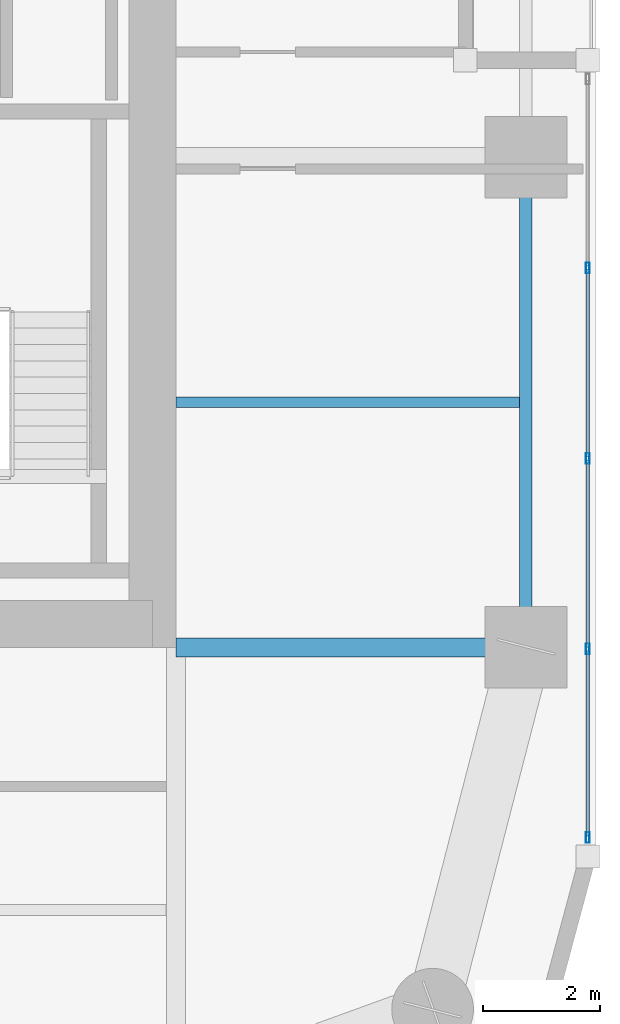
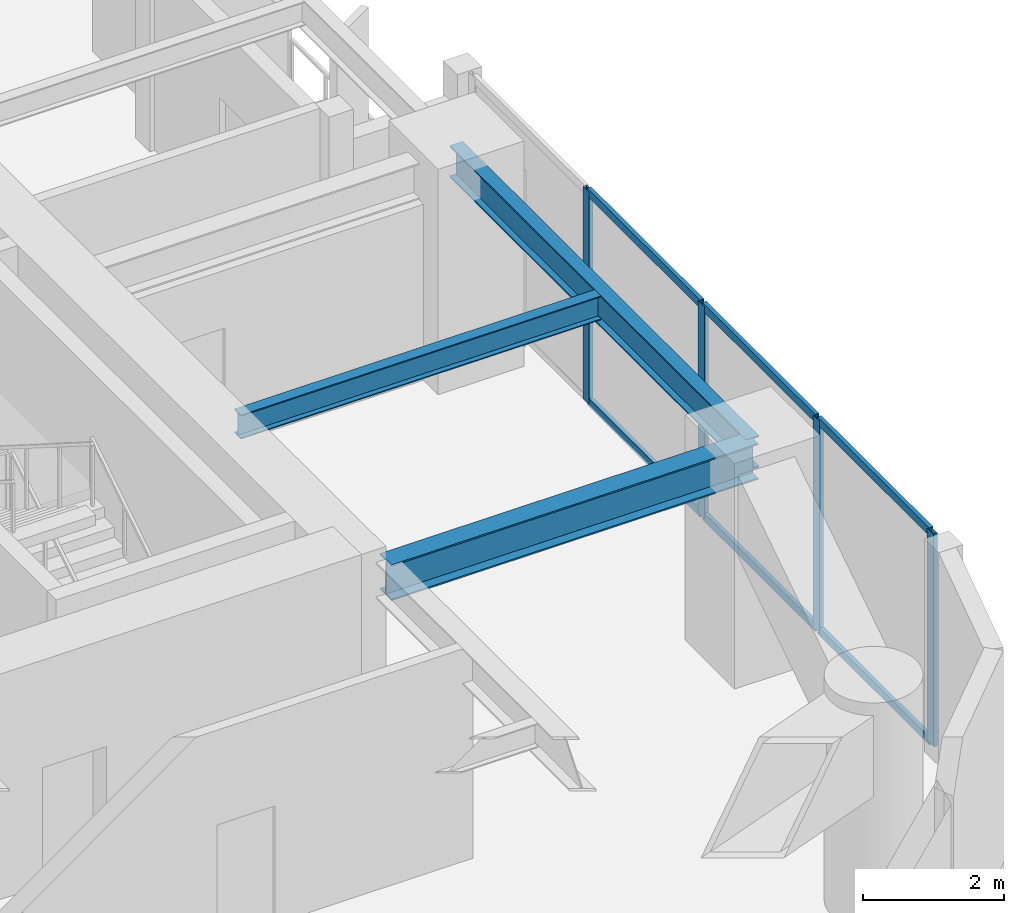
# One storey, part 9 of 30: 10 members, 3 beams, 1 element without a shape of its own.
"""IFC4 building model written with IfcOpenShell, lengths in metres."""

import ifcopenshell
import ifcopenshell.guid

model = None  # the IFC model being written
_history = None  # IfcOwnerHistory: only IFC2X3 demands one
_inside = {}  # id of a spatial element -> (the spatial element, [elements in it])
_under = {}  # id of a project, library or spatial element -> (it, [spatial elements below it])
_declared = {}  # id of a project -> (the project, [libraries it declares])
_typed = {}  # id of a type object -> (the type object, [elements of that type])
_made_of = {}  # id of a material, layer set ... -> (it, [elements and type objects made of it])


def new_model(schema):
    """Start an empty IFC model of exactly this schema.

    Asked for "IFC4X3", IfcOpenShell would pick the latest addendum, in which some entities
    have other attributes; the version numbers below select the first issue.
    IFC2X3 requires an IfcOwnerHistory on every rooted entity: one is made here for all.
    """
    global model, _history
    if schema == "IFC4X3":
        model = ifcopenshell.file(schema_version=(4, 3, 0, 0))
    else:
        model = ifcopenshell.file(schema=schema)
    _inside.clear()
    _under.clear()
    _declared.clear()
    _typed.clear()
    _made_of.clear()
    _history = None
    if model.schema == "IFC2X3":
        org = make("IfcOrganization", Name="unknown")
        user = make(
            "IfcPersonAndOrganization",
            ThePerson=make("IfcPerson", FamilyName="unknown"),
            TheOrganization=org,
        )
        app = make(
            "IfcApplication",
            ApplicationDeveloper=org,
            Version="unknown",
            ApplicationFullName="unknown",
            ApplicationIdentifier="unknown",
        )
        _history = make(
            "IfcOwnerHistory",
            OwningUser=user,
            OwningApplication=app,
            ChangeAction="ADDED",
            CreationDate=0,
        )
    return model


def make(cls, **values):
    """One entity of the class cls with the attributes given. An attribute that is None is left unset."""
    return model.create_entity(
        cls, **{name: value for name, value in values.items() if value is not None}
    )


def rooted(cls, **values):
    """An entity with a GlobalId (a new one), such as an element, a storey or a relation."""
    return make(cls, GlobalId=ifcopenshell.guid.new(), OwnerHistory=_history, **values)


def si_unit(unit_type, name, prefix=None):
    """IfcSIUnit, for example si_unit("LENGTHUNIT", "METRE", prefix="MILLI")."""
    return make("IfcSIUnit", UnitType=unit_type, Prefix=prefix, Name=name)


def assignment(units):
    """IfcUnitAssignment: the units of a project."""
    return None if units is None else make("IfcUnitAssignment", Units=units)


def point(xyz):
    """IfcCartesianPoint."""
    return None if xyz is None else make("IfcCartesianPoint", Coordinates=xyz)


def direction(xyz):
    """IfcDirection."""
    return None if xyz is None else make("IfcDirection", DirectionRatios=xyz)


def frame(location, z_axis=None, x_axis=None):
    """IfcAxis2Placement3D, a coordinate frame: its origin and axes. An axis left out is left unset."""
    return make(
        "IfcAxis2Placement3D",
        Location=point(location),
        Axis=direction(z_axis),
        RefDirection=direction(x_axis),
    )


def frame_2d(location, x_axis=None):
    """IfcAxis2Placement2D, a coordinate frame in the plane: its origin and x axis."""
    return make(
        "IfcAxis2Placement2D", Location=point(location), RefDirection=direction(x_axis)
    )


def origin():
    """The frame at (0, 0, 0) with its axes left unset."""
    return frame((0.0, 0.0, 0.0))


def origin_2d():
    """The frame at (0, 0) in the plane with its x axis left unset."""
    return frame_2d((0.0, 0.0))


def place(relative_to, where):
    """IfcLocalPlacement: puts the frame where relative to a parent placement (None: the world)."""
    return make(
        "IfcLocalPlacement", PlacementRelTo=relative_to, RelativePlacement=where
    )


def context(
    kind, dimensions, precision=None, world=None, true_north=None, identifier=None
):
    """IfcGeometricRepresentationContext, for example the 3D "Model" context."""
    return make(
        "IfcGeometricRepresentationContext",
        ContextIdentifier=identifier,
        ContextType=kind,
        CoordinateSpaceDimension=dimensions,
        Precision=precision,
        WorldCoordinateSystem=world,
        TrueNorth=true_north,
    )


def subcontext(parent, identifier, kind, view, scale=None):
    """IfcGeometricRepresentationSubContext, for example "Body" below "Model"."""
    return make(
        "IfcGeometricRepresentationSubContext",
        ContextIdentifier=identifier,
        ContextType=kind,
        ParentContext=parent,
        TargetScale=scale,
        TargetView=view,
    )


def project(units=None, contexts=None):
    """IfcProject with its units and contexts."""
    return rooted(
        "IfcProject",
        Name="project",
        RepresentationContexts=contexts,
        UnitsInContext=assignment(units),
    )


def spatial(cls, under=None, at=None, **own):
    """A site, building, storey or space (cls), placed at a placement, below another one or the project."""
    s = rooted(cls, ObjectPlacement=at, **own)
    if under is not None:
        _under.setdefault(under.id(), (under, []))[1].append(s)
    return s


def profile(cls, at=None, kind="AREA", **sizes):
    """A parametric profile (cls). Its sizes go by their IFC names, for example OverallWidth=200.0."""
    return make(cls, ProfileType=kind, Position=at, **sizes)


def hollow_rectangle(**sizes):
    """IfcRectangleHollowProfileDef."""
    return profile("IfcRectangleHollowProfileDef", **sizes)


def i_section(**sizes):
    """IfcIShapeProfileDef."""
    return profile("IfcIShapeProfileDef", **sizes)


def extrude(swept, where, along, depth):
    """IfcExtrudedAreaSolid: the profile swept, set in the frame where, extruded along a direction by depth."""
    return make(
        "IfcExtrudedAreaSolid",
        SweptArea=swept,
        Position=where,
        ExtrudedDirection=direction(along),
        Depth=depth,
    )


def shape(context_of_items, identifier, shape_type, items):
    """IfcShapeRepresentation: the items that make up one representation, for example the "Body"."""
    return make(
        "IfcShapeRepresentation",
        ContextOfItems=context_of_items,
        RepresentationIdentifier=identifier,
        RepresentationType=shape_type,
        Items=items,
    )


def material(Name=None, Category=None):
    """IfcMaterial."""
    return make("IfcMaterial", Name=Name, Category=Category)


def layer(
    of_material, thickness, ventilated=None, Name=None, Category=None, Priority=None
):
    """IfcMaterialLayer: one layer of a wall or slab, of a material (None: an air gap)."""
    return make(
        "IfcMaterialLayer",
        Material=of_material,
        LayerThickness=thickness,
        IsVentilated=ventilated,
        Name=Name,
        Category=Category,
        Priority=Priority,
    )


def layer_set(layers, Name=None):
    """IfcMaterialLayerSet."""
    return make("IfcMaterialLayerSet", MaterialLayers=layers, LayerSetName=Name)


def material_profile(
    of_material, cross_section, Name=None, Category=None, Priority=None
):
    """IfcMaterialProfile: a cross section and its material."""
    return make(
        "IfcMaterialProfile",
        Name=Name,
        Material=of_material,
        Profile=cross_section,
        Priority=Priority,
        Category=Category,
    )


def profile_set(profiles, Name=None, composite=None):
    """IfcMaterialProfileSet."""
    return make(
        "IfcMaterialProfileSet",
        Name=Name,
        MaterialProfiles=profiles,
        CompositeProfile=composite,
    )


def made_of(thing, what):
    """Note that an element or type object is made of a material, layer set ...; save() writes the relation."""
    if what is not None:
        _made_of.setdefault(what.id(), (what, []))[1].append(thing)
    return thing


def type_object(cls, material=None, **own):
    """A type object (cls), such as IfcWallType, which elements share."""
    return made_of(rooted(cls, **own), material)


def element(
    cls,
    number,
    at=None,
    inside=None,
    cuts=None,
    type_object=None,
    material=None,
    context=None,
    identifier="Body",
    shape_type=None,
    held_by="IfcProductDefinitionShape",
    body=None,
    shapes=None,
    **own,
):
    """One element of the class cls, such as IfcWall. Its Tag is "e" and its number.

    at: its placement. inside: the storey or other place that contains it. cuts: it is an
    opening in that element (IfcRelVoidsElement). A single representation is given by context,
    identifier, shape_type and body (its items); several are given by shapes. held_by: the class
    of the entity that holds the representations. save() writes the other relations.
    """
    e = rooted(cls, Tag="e%d" % number, ObjectPlacement=at, **own)
    if body is not None:
        shapes = [shape(context, identifier, shape_type, body)]
    if shapes is not None:
        e.Representation = make(held_by, Representations=shapes)
    if inside is not None:
        _inside.setdefault(inside.id(), (inside, []))[1].append(e)
    if cuts is not None:
        rooted(
            "IfcRelVoidsElement", RelatingBuildingElement=cuts, RelatedOpeningElement=e
        )
    if type_object is not None:
        _typed.setdefault(type_object.id(), (type_object, []))[1].append(e)
    return made_of(e, material)


def aggregate(whole, parts):
    """IfcRelAggregates: a whole, such as a stair, and the parts it consists of."""
    return rooted("IfcRelAggregates", RelatingObject=whole, RelatedObjects=parts)


def save(model, path):
    """Write the relations noted so far, then the file.

    IfcRelAggregates (storeys below a building ...), IfcRelContainedInSpatialStructure (elements
    in a storey), IfcRelDefinesByType, IfcRelAssociatesMaterial and IfcRelDeclares: one each for
    every whole, place, type object, material and project.
    """
    for whole, parts in _under.values():
        aggregate(whole, parts)
    for where, things in _inside.values():
        rooted(
            "IfcRelContainedInSpatialStructure",
            RelatedElements=things,
            RelatingStructure=where,
        )
    for kind, things in _typed.values():
        rooted("IfcRelDefinesByType", RelatedObjects=things, RelatingType=kind)
    for what, things in _made_of.values():
        rooted("IfcRelAssociatesMaterial", RelatedObjects=things, RelatingMaterial=what)
    for by, libraries in _declared.values():
        rooted("IfcRelDeclares", RelatingContext=by, RelatedDefinitions=libraries)
    model.write(path)


model = new_model("IFC4")

# Units and contexts
model_context = context("Model", 3, precision=1e-05, world=origin(), true_north=direction((0.0, 1.0)))
body_context = subcontext(model_context, "Body", "Model", "MODEL_VIEW")
ifc_project = project(units=[si_unit("LENGTHUNIT", "METRE"), si_unit("AREAUNIT", "SQUARE_METRE"), si_unit("VOLUMEUNIT", "CUBIC_METRE"), si_unit("PLANEANGLEUNIT", "RADIAN"), si_unit("MASSUNIT", "GRAM", prefix="KILO")], contexts=[model_context])

# Site, building, storey
site_placement = place(None, origin())
site = spatial("IfcSite", under=ifc_project, at=site_placement, CompositionType="ELEMENT")
building_placement = place(site_placement, origin())
building = spatial("IfcBuilding", under=site, at=building_placement, Name="Kiyonajd Concourse Tower", CompositionType="ELEMENT")
storey_placement = place(building_placement, frame((0.0, 0.0, 154.5)))
storey = spatial("IfcBuildingStorey", under=building, at=storey_placement, Name="L39", CompositionType="ELEMENT", Elevation=154.5)

# Beams
ifc_material_1 = material(Name="Steel ASTM A992 Grade 50", Category="steel")
ifc_material_profile_1 = material_profile(ifc_material_1, i_section(OverallWidth=0.180908203125, OverallDepth=0.4169921875, WebThickness=0.010986328125, FlangeThickness=0.018310546875, at=origin_2d()), Name="W410X85")
ifc_profile_set_1 = profile_set([ifc_material_profile_1], Name="Steel ASTM A992 Grade 50")
beam_type_1 = type_object("IfcBeamType", Name="BM-JST-410", PredefinedType="JOIST", material=ifc_profile_set_1)
beam_1_placement = place(storey_placement, frame((63.60009765625, 31.800048828125, 3.471435546875), z_axis=(1.0, 0.0, 0.0), x_axis=(0.0, 1.0, 0.0)))
element("IfcBeam", 1, at=beam_1_placement, inside=storey, type_object=beam_type_1, Name="L39 East Secondary Floor Joist", PredefinedType="JOIST", context=body_context, shape_type="SweptSolid", body=[
    extrude(i_section(OverallWidth=0.180908203125, OverallDepth=0.4169921875, WebThickness=0.010986328125, FlangeThickness=0.018310546875, at=origin_2d()), origin(), (0.0, 0.0, 1.0), 5.892822265625),
])
ifc_material_profile_2 = material_profile(ifc_material_1, i_section(OverallWidth=0.214111328125, OverallDepth=0.549072265625, WebThickness=0.0146484375, FlangeThickness=0.023681640625, at=origin_2d()), Name="W530X138")
ifc_profile_set_2 = profile_set([ifc_material_profile_2], Name="Steel ASTM A992 Grade 50")
beam_type_2 = type_object("IfcBeamType", Name="BM-SPAN-530A", PredefinedType="SPANDREL", material=ifc_profile_set_2)
beam_2_placement = place(storey_placement, frame((69.60009765625, 27.60009765625, 3.405517578125), z_axis=(0.0, 1.0, 0.0), x_axis=(-1.0, 0.0, 0.0)))
element("IfcBeam", 2, at=beam_2_placement, inside=storey, type_object=beam_type_2, Name="L39 Perimeter Bundled Tube Spandrel", PredefinedType="SPANDREL", context=body_context, shape_type="SweptSolid", body=[
    extrude(i_section(OverallWidth=0.214111328125, OverallDepth=0.549072265625, WebThickness=0.0146484375, FlangeThickness=0.023681640625, at=origin_2d()), origin(), (0.0, 0.0, 1.0), 8.39990234375),
])
ifc_material_profile_3 = material_profile(ifc_material_1, i_section(OverallWidth=0.326904296875, OverallDepth=0.6220703125, WebThickness=0.015380859375, FlangeThickness=0.0244140625, at=origin_2d()), Name="W610X195")
ifc_profile_set_3 = profile_set([ifc_material_profile_3], Name="Steel ASTM A992 Grade 50")
beam_type_3 = type_object("IfcBeamType", Name="BM-TWR-610A", PredefinedType="BEAM", material=ifc_profile_set_3)
beam_3_placement = place(storey_placement, frame((63.60009765625, 27.60009765625, 3.368896484375), z_axis=(1.0, 0.0, 0.0), x_axis=(0.0, 1.0, 0.0)))
element("IfcBeam", 3, at=beam_3_placement, inside=storey, type_object=beam_type_3, Name="L39 East Lease Girder", PredefinedType="BEAM", context=body_context, shape_type="SweptSolid", body=[
    extrude(i_section(OverallWidth=0.326904296875, OverallDepth=0.6220703125, WebThickness=0.015380859375, FlangeThickness=0.0244140625, at=origin_2d()), origin(), (0.0, 0.0, 1.0), 6.0),
])

# Curtain wall, members
ifc_material_2 = material(Name="Thermally Broken Anodised Aluminium", Category="aluminium")
ifc_layer = layer(ifc_material_2, 0.179931640625)
ifc_layer_set = layer_set([ifc_layer], Name="Thermally Broken Anodised Aluminium")
curtain_wall_type = type_object("IfcCurtainWallType", Name="CW-SYS-03", PredefinedType="NOTDEFINED", material=ifc_layer_set)
curtain_wall_placement = place(storey_placement, origin())
curtain_wall = element("IfcCurtainWall", 4, at=curtain_wall_placement, inside=storey, type_object=curtain_wall_type, Name="L39 Unitised Curtain Wall CW3", PredefinedType="NOTDEFINED")
ifc_material_profile_4 = material_profile(ifc_material_2, hollow_rectangle(XDim=0.06494140625, YDim=0.179931640625, WallThickness=0.00390625, at=origin_2d()), Name="MULL-65x180")
ifc_profile_set_4 = profile_set([ifc_material_profile_4], Name="Thermally Broken Anodised Aluminium")
member_type_1 = type_object("IfcMemberType", Name="MB-CW-MULL1", PredefinedType="MULLION", material=ifc_profile_set_4)
member_1_placement = place(storey_placement, frame((70.659912109375, 34.1044921875, 0.0), z_axis=(0.0, 0.0, 1.0), x_axis=(1.0, 0.0, 0.0)))
member_1 = element("IfcMember", 5, at=member_1_placement, type_object=member_type_1, Name="CW3 mullion 2", PredefinedType="MULLION", context=body_context, shape_type="SweptSolid", body=[
    extrude(hollow_rectangle(XDim=0.06494140625, YDim=0.179931640625, WallThickness=0.00390625, at=origin_2d()), origin(), (0.0, 0.0, 1.0), 3.679931640625),
])
member_2_placement = place(storey_placement, frame((70.659912109375, 30.839111328125, 0.0), z_axis=(0.0, 0.0, 1.0), x_axis=(1.0, 0.0, 0.0)))
member_2 = element("IfcMember", 6, at=member_2_placement, type_object=member_type_1, Name="CW3 mullion 3", PredefinedType="MULLION", context=body_context, shape_type="SweptSolid", body=[
    extrude(hollow_rectangle(XDim=0.06494140625, YDim=0.179931640625, WallThickness=0.00390625, at=origin_2d()), origin(), (0.0, 0.0, 1.0), 3.679931640625),
])
member_3_placement = place(storey_placement, frame((70.659912109375, 27.57373046875, 0.0), z_axis=(0.0, 0.0, 1.0), x_axis=(1.0, 0.0, 0.0)))
member_3 = element("IfcMember", 7, at=member_3_placement, type_object=member_type_1, Name="CW3 mullion 4", PredefinedType="MULLION", context=body_context, shape_type="SweptSolid", body=[
    extrude(hollow_rectangle(XDim=0.06494140625, YDim=0.179931640625, WallThickness=0.00390625, at=origin_2d()), origin(), (0.0, 0.0, 1.0), 3.679931640625),
])
member_4_placement = place(storey_placement, frame((70.659912109375, 24.3408203125, 0.0), z_axis=(0.0, 0.0, 1.0), x_axis=(1.0, 0.0, 0.0)))
member_4 = element("IfcMember", 8, at=member_4_placement, type_object=member_type_1, Name="CW3 mullion 5", PredefinedType="MULLION", context=body_context, shape_type="SweptSolid", body=[
    extrude(hollow_rectangle(XDim=0.06494140625, YDim=0.179931640625, WallThickness=0.00390625, at=origin_2d()), origin(), (0.0, 0.0, 1.0), 3.679931640625),
])
ifc_material_profile_5 = material_profile(ifc_material_2, hollow_rectangle(XDim=0.06494140625, YDim=0.139892578125, WallThickness=0.00390625, at=origin_2d()), Name="TRAN-65x140")
ifc_profile_set_5 = profile_set([ifc_material_profile_5], Name="Thermally Broken Anodised Aluminium")
member_type_2 = type_object("IfcMemberType", Name="MB-CW-TRAN1", PredefinedType="USERDEFINED", material=ifc_profile_set_5)
member_5_placement = place(storey_placement, frame((70.659912109375, 34.072021484375, 0.032470703125), z_axis=(0.0, -1.0, 0.0), x_axis=(1.0, 0.0, 0.0)))
member_5 = element("IfcMember", 9, at=member_5_placement, type_object=member_type_2, Name="CW3 transom 2.1", ObjectType="TRANSOM", PredefinedType="USERDEFINED", context=body_context, shape_type="SweptSolid", body=[
    extrude(hollow_rectangle(XDim=0.06494140625, YDim=0.139892578125, WallThickness=0.00390625, at=origin_2d()), origin(), (0.0, 0.0, 1.0), 3.200439453125),
])
member_6_placement = place(storey_placement, frame((70.659912109375, 34.072021484375, 3.6474609375), z_axis=(0.0, -1.0, 0.0), x_axis=(1.0, 0.0, 0.0)))
member_6 = element("IfcMember", 10, at=member_6_placement, type_object=member_type_2, Name="CW3 transom 2.2", ObjectType="TRANSOM", PredefinedType="USERDEFINED", context=body_context, shape_type="SweptSolid", body=[
    extrude(hollow_rectangle(XDim=0.06494140625, YDim=0.139892578125, WallThickness=0.00390625, at=origin_2d()), origin(), (0.0, 0.0, 1.0), 3.200439453125),
])
member_7_placement = place(storey_placement, frame((70.659912109375, 30.806640625, 0.032470703125), z_axis=(0.0, -1.0, 0.0), x_axis=(1.0, 0.0, 0.0)))
member_7 = element("IfcMember", 11, at=member_7_placement, type_object=member_type_2, Name="CW3 transom 3.1", ObjectType="TRANSOM", PredefinedType="USERDEFINED", context=body_context, shape_type="SweptSolid", body=[
    extrude(hollow_rectangle(XDim=0.06494140625, YDim=0.139892578125, WallThickness=0.00390625, at=origin_2d()), origin(), (0.0, 0.0, 1.0), 3.200439453125),
])
member_8_placement = place(storey_placement, frame((70.659912109375, 30.806640625, 3.6474609375), z_axis=(0.0, -1.0, 0.0), x_axis=(1.0, 0.0, 0.0)))
member_8 = element("IfcMember", 12, at=member_8_placement, type_object=member_type_2, Name="CW3 transom 3.2", ObjectType="TRANSOM", PredefinedType="USERDEFINED", context=body_context, shape_type="SweptSolid", body=[
    extrude(hollow_rectangle(XDim=0.06494140625, YDim=0.139892578125, WallThickness=0.00390625, at=origin_2d()), origin(), (0.0, 0.0, 1.0), 3.200439453125),
])
member_9_placement = place(storey_placement, frame((70.659912109375, 27.541259765625, 0.032470703125), z_axis=(0.0, -1.0, 0.0), x_axis=(1.0, 0.0, 0.0)))
member_9 = element("IfcMember", 13, at=member_9_placement, type_object=member_type_2, Name="CW3 transom 4.1", ObjectType="TRANSOM", PredefinedType="USERDEFINED", context=body_context, shape_type="SweptSolid", body=[
    extrude(hollow_rectangle(XDim=0.06494140625, YDim=0.139892578125, WallThickness=0.00390625, at=origin_2d()), origin(), (0.0, 0.0, 1.0), 3.16796875),
])
member_10_placement = place(storey_placement, frame((70.659912109375, 27.541259765625, 3.6474609375), z_axis=(0.0, -1.0, 0.0), x_axis=(1.0, 0.0, 0.0)))
member_10 = element("IfcMember", 14, at=member_10_placement, type_object=member_type_2, Name="CW3 transom 4.2", ObjectType="TRANSOM", PredefinedType="USERDEFINED", context=body_context, shape_type="SweptSolid", body=[
    extrude(hollow_rectangle(XDim=0.06494140625, YDim=0.139892578125, WallThickness=0.00390625, at=origin_2d()), origin(), (0.0, 0.0, 1.0), 3.16796875),
])
aggregate(curtain_wall, [member_1, member_2, member_3, member_4, member_5, member_6, member_7, member_8, member_9, member_10])

save(model, "model.ifc")
